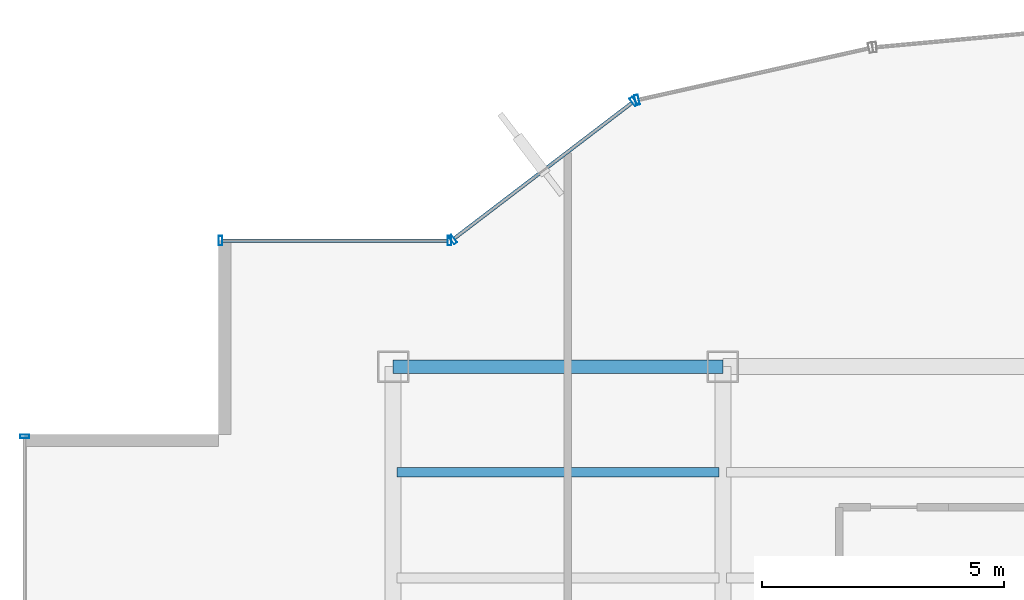
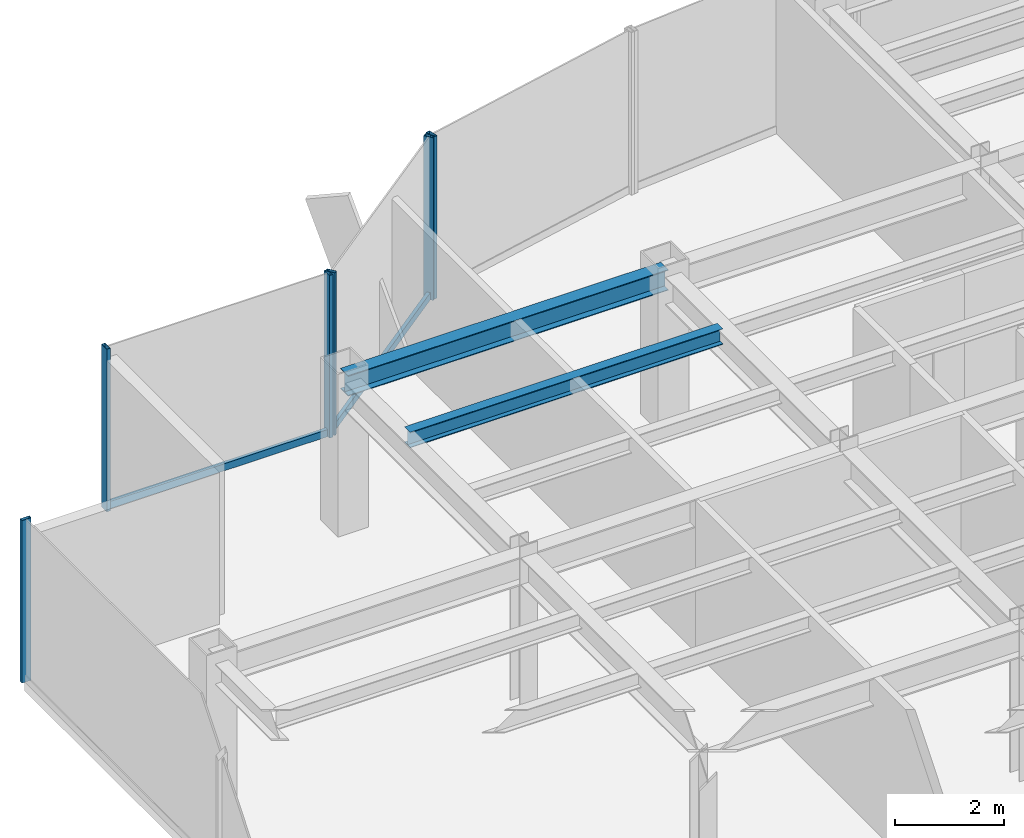
# One storey, part 14 of 25: 8 members, 2 beams, 4 elements without a shape of their own.
"""IFC4 building model written with IfcOpenShell, lengths in metres."""

from ifc_helpers import new_model, si_unit, derived_unit, direction, frame, origin, origin_2d, place, context, subcontext, project, spatial, hollow_rectangle, i_section, extrude, source, transform, mapped, material, material_profile, profile_set, type_object, element, aggregate, save


model = new_model("IFC4")

# Units and contexts
model_context = context("Model", 3, precision=1e-05, world=origin(), true_north=direction((0.0, 1.0)))
body_context = subcontext(model_context, "Body", "Model", "MODEL_VIEW")
ifc_project = project(units=[si_unit("LENGTHUNIT", "METRE"), si_unit("AREAUNIT", "SQUARE_METRE"), si_unit("VOLUMEUNIT", "CUBIC_METRE"), si_unit("PLANEANGLEUNIT", "RADIAN"), si_unit("MASSUNIT", "GRAM", prefix="KILO"), derived_unit("THERMALTRANSMITTANCEUNIT", [(si_unit("POWERUNIT", "WATT"), 1), (si_unit("LENGTHUNIT", "METRE"), -2), (si_unit("THERMODYNAMICTEMPERATUREUNIT", "KELVIN"), -1)])], contexts=[model_context])

# Site, building, storey
site_placement = place(None, origin())
site = spatial("IfcSite", under=ifc_project, at=site_placement, CompositionType="ELEMENT")
building_placement = place(site_placement, origin())
building = spatial("IfcBuilding", under=site, at=building_placement, Name="Skarnbrae Concourse Arena and Tower", CompositionType="ELEMENT")
storey_placement = place(building_placement, frame((0.0, 0.0, 158.85009765625)))
storey = spatial("IfcBuildingStorey", under=building, at=storey_placement, Name="L40", CompositionType="ELEMENT", Elevation=158.85009765625)

# Beams
ifc_material_1 = material(Name="Steel CSA G40.21 350W", Category="steel")
ifc_material_profile_1 = material_profile(ifc_material_1, i_section(OverallWidth=0.280029296875, OverallDepth=0.462890625, WebThickness=0.0107421875, FlangeThickness=0.017333984375, at=origin_2d()), Name="W460X113")
ifc_profile_set_1 = profile_set([ifc_material_profile_1], Name="Steel CSA G40.21 350W")
beam_type_1 = type_object("IfcBeamType", Name="BM-SPAN-W460X113", PredefinedType="SPANDREL", material=ifc_profile_set_1)
shared_shape_1 = source(origin(), body_context, "Body", "SweptSolid", [
    extrude(i_section(OverallWidth=0.280029296875, OverallDepth=0.462890625, WebThickness=0.0107421875, FlangeThickness=0.017333984375, at=origin_2d()), origin(), (0.0, 0.0, 1.0), 6.7998046875),
])
beam_1_placement = place(storey_placement, frame((7.60009765625, 34.39990234375, 3.16845703125), z_axis=(1.0, 0.0, 0.0), x_axis=(0.0, 1.0, 0.0)))
element("IfcBeam", 1, at=beam_1_placement, inside=storey, type_object=beam_type_1, Name="L40 Perimeter spandrel Y34.4-1", PredefinedType="SPANDREL", context=body_context, shape_type="MappedRepresentation", body=[
    mapped(shared_shape_1, transform((0.0, 0.0, 0.0))),
])
ifc_material_profile_2 = material_profile(ifc_material_1, i_section(OverallWidth=0.205078125, OverallDepth=0.35400390625, WebThickness=0.009521484375, FlangeThickness=0.016845703125, at=origin_2d()), Name="W360X79")
ifc_profile_set_2 = profile_set([ifc_material_profile_2], Name="Steel CSA G40.21 350W")
beam_type_2 = type_object("IfcBeamType", Name="BM-JOIST-W360X79", PredefinedType="JOIST", material=ifc_profile_set_2)
shared_shape_2 = source(origin(), body_context, "Body", "SweptSolid", [
    extrude(i_section(OverallWidth=0.205078125, OverallDepth=0.35400390625, WebThickness=0.009521484375, FlangeThickness=0.016845703125, at=origin_2d()), origin(), (0.0, 0.0, 1.0), 6.64013671875),
])
beam_2_placement = place(storey_placement, frame((7.679931640625, 32.221923828125, 3.222900390625), z_axis=(1.0, 0.0, 0.0), x_axis=(0.0, 1.0, 0.0)))
element("IfcBeam", 2, at=beam_2_placement, inside=storey, type_object=beam_type_2, Name="L40 Secondary floor joist 3.2.1", PredefinedType="JOIST", context=body_context, shape_type="MappedRepresentation", body=[
    mapped(shared_shape_2, transform((0.0, 0.0, 0.0))),
])

# Curtain wall, member
ifc_material_2 = material(Name="Bronze anodised aluminium 6063-T6", Category="aluminium")
curtain_wall_type_1 = type_object("IfcCurtainWallType", Name="CW-SYS-03-PORTAL", PredefinedType="USERDEFINED", material=ifc_material_2)
curtain_wall_1_placement = place(storey_placement, origin())
curtain_wall_1 = element("IfcCurtainWall", 3, at=curtain_wall_1_placement, inside=storey, type_object=curtain_wall_type_1, Name="L40 Unitised curtain wall CW-L40-E13", ObjectType="UNITISED CURTAIN WALL", PredefinedType="USERDEFINED")
ifc_material_profile_3 = material_profile(ifc_material_2, hollow_rectangle(XDim=0.080078125, YDim=0.2099609375, WallThickness=0.00439453125, at=origin_2d()), Name="ALU-MULL-80X210")
ifc_profile_set_3 = profile_set([ifc_material_profile_3], Name="Bronze anodised aluminium 6063-T6")
member_type_1 = type_object("IfcMemberType", Name="CWM-CW-03", PredefinedType="MULLION", material=ifc_profile_set_3)
shared_shape_3 = source(origin(), body_context, "Body", "SweptSolid", [
    extrude(hollow_rectangle(XDim=0.080078125, YDim=0.2099609375, WallThickness=0.00439453125, at=origin_2d()), origin(), (0.0, 0.0, 1.0), 3.64990234375),
])
member_1_placement = place(storey_placement, frame((12.62939453125, 39.9013671875, 0.0), z_axis=(0.0, 0.0, 1.0), x_axis=(-0.975936175393, -0.218056372433, 0.0)))
member_1 = element("IfcMember", 4, at=member_1_placement, type_object=member_type_1, Name="CW-L40-E13 Mullion 2", PredefinedType="MULLION", context=body_context, shape_type="MappedRepresentation", body=[
    mapped(shared_shape_3, transform((0.0, 0.0, 0.0))),
])
aggregate(curtain_wall_1, [member_1])

# Curtain wall, members
curtain_wall_type_2 = type_object("IfcCurtainWallType", Name="CW-SYS-04-MIDZONE", PredefinedType="USERDEFINED", material=ifc_material_2)
curtain_wall_2_placement = place(storey_placement, origin())
curtain_wall_2 = element("IfcCurtainWall", 5, at=curtain_wall_2_placement, inside=storey, type_object=curtain_wall_type_2, Name="L40 Unitised curtain wall CW-L40-E14", ObjectType="UNITISED CURTAIN WALL", PredefinedType="USERDEFINED")
ifc_material_profile_4 = material_profile(ifc_material_2, hollow_rectangle(XDim=0.074951171875, YDim=0.195068359375, WallThickness=0.00439453125, at=origin_2d()), Name="ALU-MULL-75X195")
ifc_profile_set_4 = profile_set([ifc_material_profile_4], Name="Bronze anodised aluminium 6063-T6")
member_type_2 = type_object("IfcMemberType", Name="CWM-CW-04", PredefinedType="MULLION", material=ifc_profile_set_4)
shared_shape_4 = source(origin(), body_context, "Body", "SweptSolid", [
    extrude(hollow_rectangle(XDim=0.074951171875, YDim=0.195068359375, WallThickness=0.00439453125, at=origin_2d()), origin(), (0.0, 0.0, 1.0), 3.64990234375),
])
member_2_placement = place(storey_placement, frame((12.560791015625, 39.869873046875, 0.0), z_axis=(0.0, 0.0, 1.0), x_axis=(-0.794956000706, -0.606667089054, 0.0)))
member_2 = element("IfcMember", 6, at=member_2_placement, type_object=member_type_2, Name="CW-L40-E14 Mullion 1", PredefinedType="MULLION", context=body_context, shape_type="MappedRepresentation", body=[
    mapped(shared_shape_4, transform((0.0, 0.0, 0.0))),
])
member_3_placement = place(storey_placement, frame((8.829833984375, 37.022705078125, 0.0), z_axis=(0.0, 0.0, 1.0), x_axis=(-0.794956000706, -0.606667089054, 0.0)))
member_3 = element("IfcMember", 7, at=member_3_placement, type_object=member_type_2, Name="CW-L40-E14 Mullion 2", PredefinedType="MULLION", context=body_context, shape_type="MappedRepresentation", body=[
    mapped(shared_shape_4, transform((0.0, 0.0, 0.0))),
])

curtain_wall_3_placement = place(storey_placement, origin())
curtain_wall_3 = element("IfcCurtainWall", 8, at=curtain_wall_3_placement, inside=storey, type_object=curtain_wall_type_2, Name="L40 Unitised curtain wall CW-L40-E15", ObjectType="UNITISED CURTAIN WALL", PredefinedType="USERDEFINED")
member_4_placement = place(storey_placement, frame((8.762451171875, 37.0, 0.0), z_axis=(0.0, 0.0, 1.0), x_axis=(-1.0, 0.0, 0.0)))
member_4 = element("IfcMember", 9, at=member_4_placement, type_object=member_type_2, Name="CW-L40-E15 Mullion 1", PredefinedType="MULLION", context=body_context, shape_type="MappedRepresentation", body=[
    mapped(shared_shape_4, transform((0.0, 0.0, 0.0))),
])
member_5_placement = place(storey_placement, frame((4.03759765625, 37.0, 0.0), z_axis=(0.0, 0.0, 1.0), x_axis=(-1.0, 0.0, 0.0)))
member_5 = element("IfcMember", 10, at=member_5_placement, type_object=member_type_2, Name="CW-L40-E15 Mullion 2", PredefinedType="MULLION", context=body_context, shape_type="MappedRepresentation", body=[
    mapped(shared_shape_4, transform((0.0, 0.0, 0.0))),
])

# Curtain wall, member
curtain_wall_4_placement = place(storey_placement, origin())
curtain_wall_4 = element("IfcCurtainWall", 11, at=curtain_wall_4_placement, inside=storey, type_object=curtain_wall_type_2, Name="L40 Unitised curtain wall CW-L40-E18", ObjectType="UNITISED CURTAIN WALL", PredefinedType="USERDEFINED")
member_6_placement = place(storey_placement, frame((0.0, 32.96240234375, 0.0), z_axis=(0.0, 0.0, 1.0), x_axis=(0.0, -1.0, 0.0)))
member_6 = element("IfcMember", 12, at=member_6_placement, type_object=member_type_2, Name="CW-L40-E18 Mullion 1", PredefinedType="MULLION", context=body_context, shape_type="MappedRepresentation", body=[
    mapped(shared_shape_4, transform((0.0, 0.0, 0.0))),
])
aggregate(curtain_wall_4, [member_6])

# Member
ifc_material_profile_5 = material_profile(ifc_material_2, hollow_rectangle(XDim=0.074951171875, YDim=0.159912109375, WallThickness=0.00439453125, at=origin_2d()), Name="ALU-TRAN-75X160")
ifc_profile_set_5 = profile_set([ifc_material_profile_5], Name="Bronze anodised aluminium 6063-T6")
member_type_3 = type_object("IfcMemberType", Name="CWT-CW-04", PredefinedType="USERDEFINED", material=ifc_profile_set_5)
shared_shape_5 = source(origin(), body_context, "Body", "SweptSolid", [
    extrude(hollow_rectangle(XDim=0.074951171875, YDim=0.159912109375, WallThickness=0.00439453125, at=origin_2d()), origin(), (0.0, 0.0, 1.0), 4.650146484375),
])
member_7_placement = place(storey_placement, frame((8.72509765625, 37.0, 0.079833984375), z_axis=(-1.0, 0.0, 0.0), x_axis=(0.0, -1.0, 0.0)))
member_7 = element("IfcMember", 13, at=member_7_placement, type_object=member_type_3, Name="CW-L40-E15 Transom 1", ObjectType="TRANSOM", PredefinedType="USERDEFINED", context=body_context, shape_type="MappedRepresentation", body=[
    mapped(shared_shape_5, transform((0.0, 0.0, 0.0))),
])

aggregate(curtain_wall_3, [member_4, member_5, member_7])

shared_shape_6 = source(origin(), body_context, "Body", "SweptSolid", [
    extrude(hollow_rectangle(XDim=0.074951171875, YDim=0.159912109375, WallThickness=0.00439453125, at=origin_2d()), origin(), (0.0, 0.0, 1.0), 4.618408203125),
])
member_8_placement = place(storey_placement, frame((12.531005859375, 39.84716796875, 0.079833984375), z_axis=(-0.794960638756, -0.606661011462, 0.0), x_axis=(0.606661011462, -0.794960638756, 0.0)))
member_8 = element("IfcMember", 14, at=member_8_placement, type_object=member_type_3, Name="CW-L40-E14 Transom 1", ObjectType="TRANSOM", PredefinedType="USERDEFINED", context=body_context, shape_type="MappedRepresentation", body=[
    mapped(shared_shape_6, transform((0.0, 0.0, 0.0))),
])

aggregate(curtain_wall_2, [member_2, member_3, member_8])

save(model, "model.ifc")
